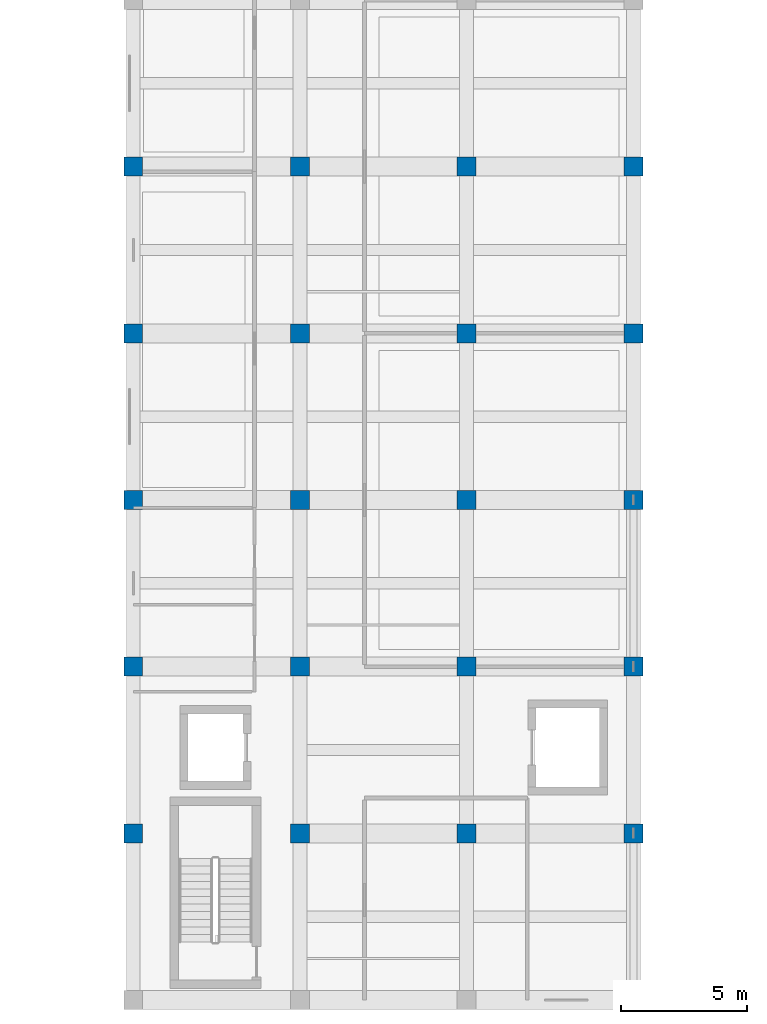
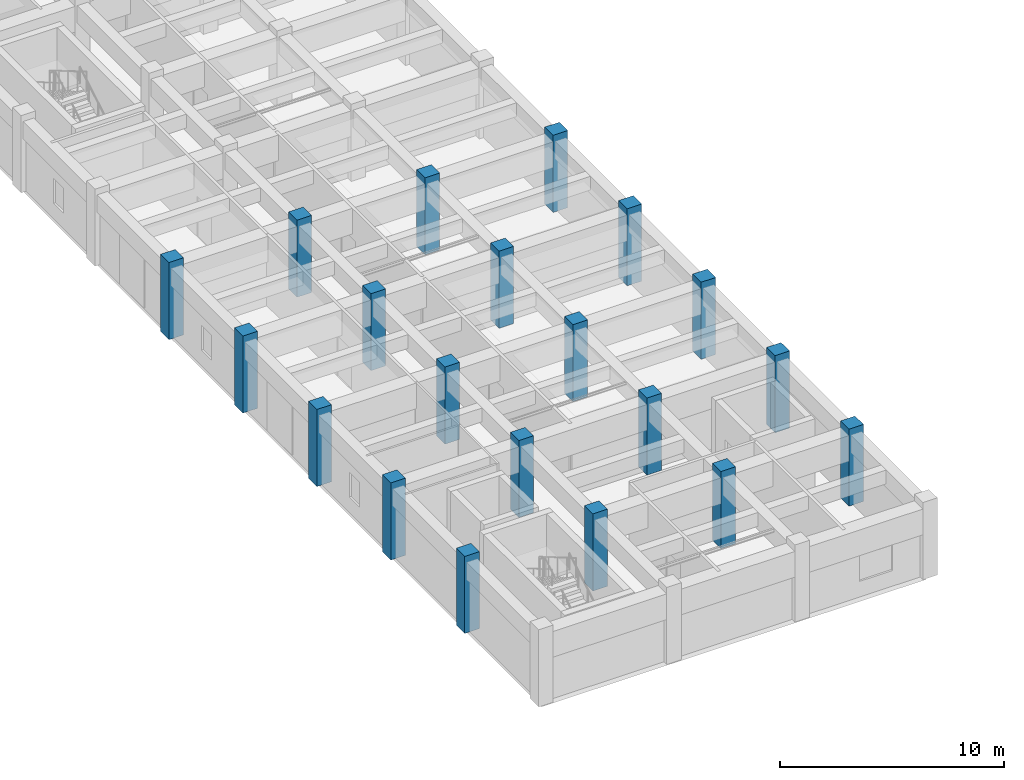
# One storey, part 14 of 148: 20 columns.
"""IFC4 building model written with IfcOpenShell, lengths in metres."""

from ifc_helpers import new_model, si_unit, direction, frame, origin, origin_2d, place, context, subcontext, project, spatial, rectangle, extrude, material, material_profile, profile_set, type_object, element, save


model = new_model("IFC4")

# Units and contexts
model_context = context("Model", 3, precision=1e-05, world=origin(), true_north=direction((0.0, 1.0)))
body_context = subcontext(model_context, "Body", "Model", "MODEL_VIEW")
ifc_project = project(units=[si_unit("LENGTHUNIT", "METRE"), si_unit("AREAUNIT", "SQUARE_METRE"), si_unit("VOLUMEUNIT", "CUBIC_METRE"), si_unit("PLANEANGLEUNIT", "RADIAN"), si_unit("MASSUNIT", "GRAM", prefix="KILO")], contexts=[model_context])

# Site, building, storey
site_placement = place(None, origin())
site = spatial("IfcSite", under=ifc_project, at=site_placement, CompositionType="ELEMENT")
building_placement = place(site_placement, origin())
building = spatial("IfcBuilding", under=site, at=building_placement, Name="Karori Crest Natural Sciences Institute", CompositionType="ELEMENT")
storey_placement = place(building_placement, frame((0.0, 0.0, 4.89990234375)))
storey = spatial("IfcBuildingStorey", under=building, at=storey_placement, Name="L01", CompositionType="ELEMENT", Elevation=4.89990234375)

# Columns
ifc_material = material(Name="Concrete 50 MPa", Category="concrete")
ifc_material_profile_1 = material_profile(ifc_material, rectangle(XDim=0.75, YDim=0.75, at=origin_2d()), Name="RC750x750")
ifc_profile_set_1 = profile_set([ifc_material_profile_1], Name="Concrete 50 MPa")
column_type_1 = type_object("IfcColumnType", Name="CT-18", PredefinedType="COLUMN", material=ifc_profile_set_1)
for number, where, z_axis, x_axis, name in (
    (1, (7.39990234375, 101.60009765625, 0.0), (0.0, 0.0, 1.0), (1.0, 0.0, 0.0), "Column C-0719"),
    (2, (7.39990234375, 108.199951171875, 0.0), (0.0, 0.0, 1.0), (1.0, 0.0, 0.0), "Column C-0727"),
    (3, (7.39990234375, 114.800048828125, 0.0), (0.0, 0.0, 1.0), (1.0, 0.0, 0.0), "Column C-0735"),
    (4, (7.39990234375, 121.39990234375, 0.0), (0.0, 0.0, 1.0), (1.0, 0.0, 0.0), "Column C-0743"),
    (5, (7.39990234375, 128.0, 0.0), (0.0, 0.0, 1.0), (1.0, 0.0, 0.0), "Column C-0750"),
    (6, (27.199951171875, 101.60009765625, 0.0), (0.0, 0.0, 1.0), (1.0, 0.0, 0.0), "Column C-0950"),
    (7, (27.199951171875, 108.199951171875, 0.0), (0.0, 0.0, 1.0), (1.0, 0.0, 0.0), "Column C-0958"),
    (8, (27.199951171875, 114.800048828125, 0.0), (0.0, 0.0, 1.0), (1.0, 0.0, 0.0), "Column C-0966"),
    (9, (27.199951171875, 121.39990234375, 0.0), (0.0, 0.0, 1.0), (1.0, 0.0, 0.0), "Column C-0974"),
    (10, (27.199951171875, 128.0, 0.0), (0.0, 0.0, 1.0), (1.0, 0.0, 0.0), "Column C-0981"),
):
    element("IfcColumn", number, at=place(storey_placement, frame(where, z_axis=z_axis, x_axis=x_axis)), inside=storey, type_object=column_type_1, Name=name, PredefinedType="COLUMN", context=body_context, shape_type="SweptSolid", body=[
        extrude(rectangle(XDim=0.75, YDim=0.75, at=origin_2d()), origin(), (0.0, 0.0, 1.0), 4.2001953125),
    ])
ifc_material_profile_2 = material_profile(ifc_material, rectangle(XDim=0.75, YDim=0.75, at=origin_2d()), Name="RC750x750")
ifc_profile_set_2 = profile_set([ifc_material_profile_2], Name="Concrete 50 MPa")
column_type_2 = type_object("IfcColumnType", Name="CT-18-IL", PredefinedType="COLUMN", material=ifc_profile_set_2)
for number, where, z_axis, x_axis, name in (
    (11, (14.0, 101.60009765625, 0.0), (0.0, 0.0, 1.0), (1.0, 0.0, 0.0), "Column C-0796"),
    (12, (14.0, 108.199951171875, 0.0), (0.0, 0.0, 1.0), (1.0, 0.0, 0.0), "Column C-0804"),
    (13, (14.0, 114.800048828125, 0.0), (0.0, 0.0, 1.0), (1.0, 0.0, 0.0), "Column C-0812"),
    (14, (14.0, 121.39990234375, 0.0), (0.0, 0.0, 1.0), (1.0, 0.0, 0.0), "Column C-0820"),
    (15, (14.0, 128.0, 0.0), (0.0, 0.0, 1.0), (1.0, 0.0, 0.0), "Column C-0827"),
    (16, (20.60009765625, 101.60009765625, 0.0), (0.0, 0.0, 1.0), (1.0, 0.0, 0.0), "Column C-0873"),
    (17, (20.60009765625, 108.199951171875, 0.0), (0.0, 0.0, 1.0), (1.0, 0.0, 0.0), "Column C-0881"),
    (18, (20.60009765625, 114.800048828125, 0.0), (0.0, 0.0, 1.0), (1.0, 0.0, 0.0), "Column C-0889"),
    (19, (20.60009765625, 121.39990234375, 0.0), (0.0, 0.0, 1.0), (1.0, 0.0, 0.0), "Column C-0897"),
    (20, (20.60009765625, 128.0, 0.0), (0.0, 0.0, 1.0), (1.0, 0.0, 0.0), "Column C-0904"),
):
    element("IfcColumn", number, at=place(storey_placement, frame(where, z_axis=z_axis, x_axis=x_axis)), inside=storey, type_object=column_type_2, Name=name, PredefinedType="COLUMN", context=body_context, shape_type="SweptSolid", body=[
        extrude(rectangle(XDim=0.75, YDim=0.75, at=origin_2d()), origin(), (0.0, 0.0, 1.0), 4.2001953125),
    ])

save(model, "model.ifc")
